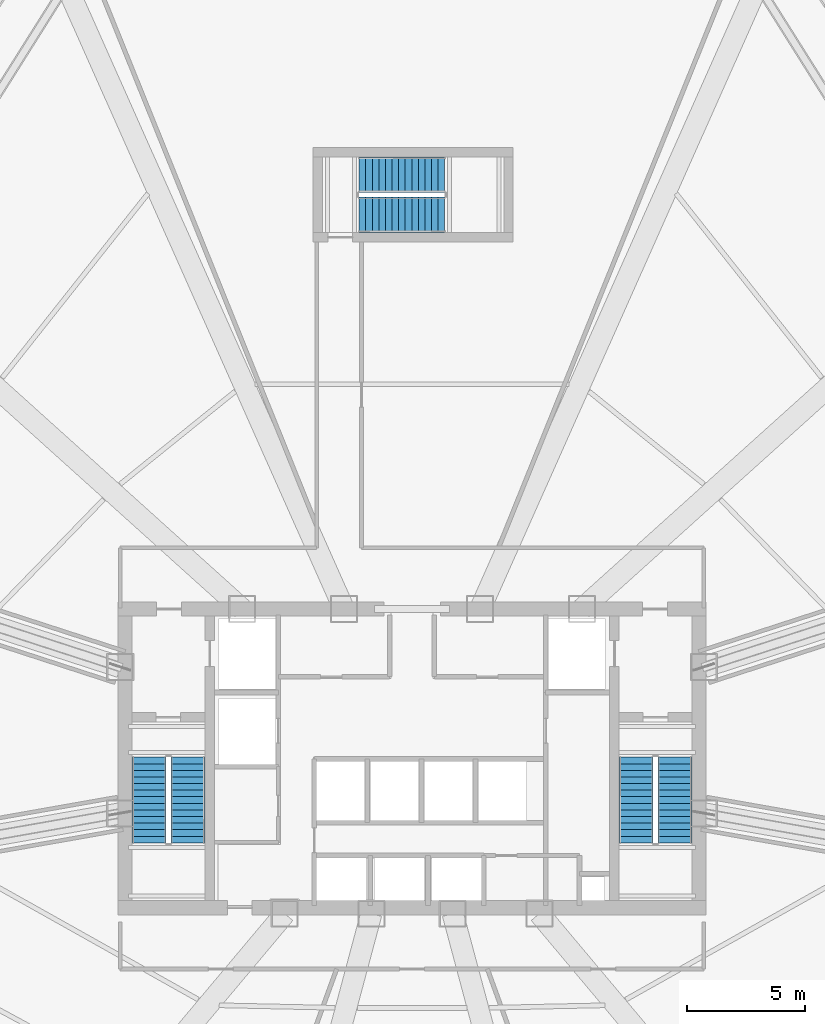
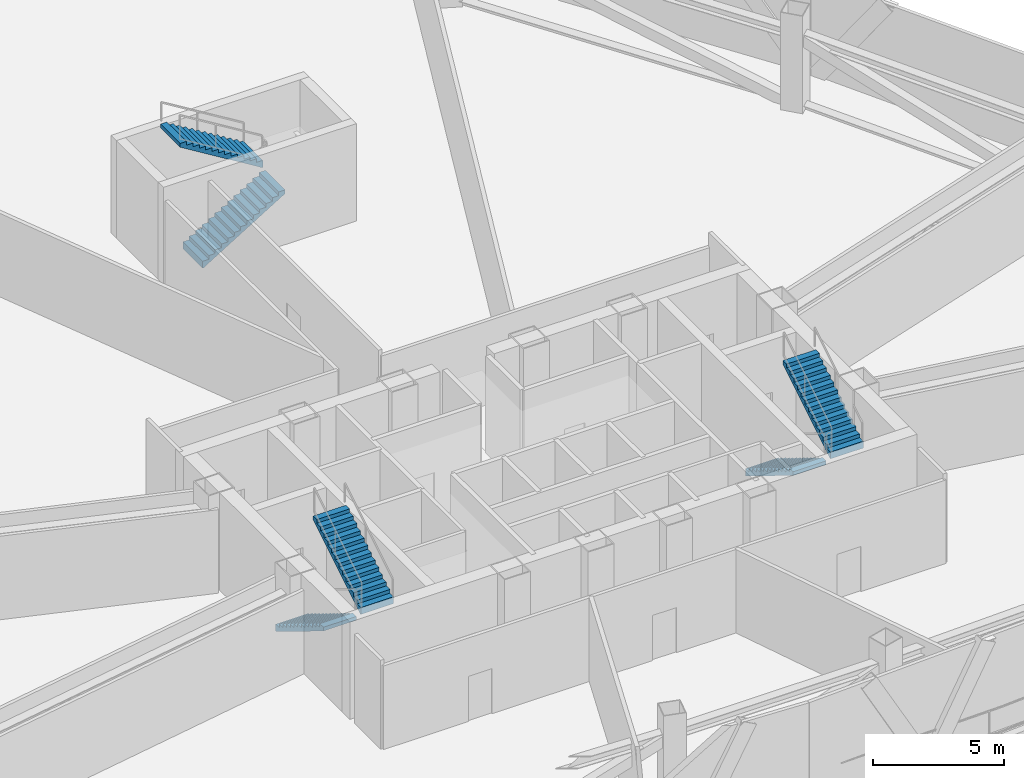
# One storey, part 11 of 17: 6 stair flights, 3 elements without a shape of their own.
"""IFC4 building model written with IfcOpenShell, lengths in metres."""

from ifc_helpers import new_model, si_unit, direction, frame, origin, place, context, subcontext, project, spatial, polyline, outline, extrude, source, transform, mapped, material, type_object, element, aggregate, save


model = new_model("IFC4")

# Units and contexts
model_context = context("Model", 3, precision=1e-05, world=origin(), true_north=direction((0.0, 1.0)))
body_context = subcontext(model_context, "Body", "Model", "MODEL_VIEW")
ifc_project = project(units=[si_unit("LENGTHUNIT", "METRE"), si_unit("AREAUNIT", "SQUARE_METRE"), si_unit("VOLUMEUNIT", "CUBIC_METRE"), si_unit("PLANEANGLEUNIT", "RADIAN"), si_unit("MASSUNIT", "GRAM", prefix="KILO"), si_unit("THERMODYNAMICTEMPERATUREUNIT", "KELVIN"), si_unit("POWERUNIT", "WATT")], contexts=[model_context])

# Site, building, storey
site_placement = place(None, origin())
site = spatial("IfcSite", under=ifc_project, at=site_placement, CompositionType="ELEMENT")
building_placement = place(site_placement, origin())
building = spatial("IfcBuilding", under=site, at=building_placement, Name="Yunzhuo Pagoda Commons", CompositionType="ELEMENT")
storey_placement = place(building_placement, frame((0.0, 0.0, 176.159912109375)))
storey = spatial("IfcBuildingStorey", under=building, at=storey_placement, Name="L44", CompositionType="ELEMENT", Elevation=176.159912109375)

# Stair, stair flights
ifc_material = material(Name="Concrete C40", Category="concrete")
stair_type_1 = type_object("IfcStairType", Name="ST-C1 Core Smokeproof Stair ST1", PredefinedType="HALF_TURN_STAIR", material=ifc_material)
stair_1_placement = place(storey_placement, origin())
stair_1 = element("IfcStair", 1, at=stair_1_placement, inside=storey, type_object=stair_type_1, Name="L44 Core smokeproof stair ST1", PredefinedType="HALF_TURN_STAIR")
stair_flight_type_1 = type_object("IfcStairFlightType", Name="STF-C1 Core Stair Flight 1450", PredefinedType="STRAIGHT", material=ifc_material)
shared_shape_1 = source(origin(), body_context, "Body", "SweptSolid", [
    extrude(outline(polyline([(0.0, -0.14990234375), (0.0, 0.0), (0.0, 0.17138671875), (0.280029296875, 0.17138671875), (0.280029296875, 0.3427734375), (0.56005859375, 0.3427734375), (0.56005859375, 0.514404296875), (0.840087890625, 0.514404296875), (0.840087890625, 0.685791015625), (1.1201171875, 0.685791015625), (1.1201171875, 0.857177734375), (1.39990234375, 0.857177734375), (1.39990234375, 1.028564453125), (1.679931640625, 1.028564453125), (1.679931640625, 1.199951171875), (1.9599609375, 1.199951171875), (1.9599609375, 1.371337890625), (2.239990234375, 1.371337890625), (2.239990234375, 1.54296875), (2.52001953125, 1.54296875), (2.52001953125, 1.71435546875), (2.800048828125, 1.71435546875), (2.800048828125, 1.8857421875), (3.080078125, 1.8857421875), (3.080078125, 2.05712890625), (3.360107421875, 2.05712890625), (3.360107421875, 2.228515625), (3.639892578125, 2.228515625), (3.639892578125, 2.39990234375), (3.639892578125, 2.052734375), (0.287109375, 0.0), (0.050048828125, -0.14990234375), (0.0, -0.14990234375)])), frame((0.0, 0.72509765625, 0.0), z_axis=(0.0, -1.0, 0.0), x_axis=(1.0, 0.0, 0.0)), (0.0, 0.0, 1.0), 1.449951171875),
])
stair_flight_1_placement = place(storey_placement, frame((36.824951171875, 33.89990234375, 0.0), z_axis=(0.0, 0.0, 1.0), x_axis=(0.0, -1.0, 0.0)))
stair_flight_1 = element("IfcStairFlight", 2, at=stair_flight_1_placement, type_object=stair_flight_type_1, Name="ST1 flight 1", NumberOfRisers=14, NumberOfTreads=13, PredefinedType="STRAIGHT", RiserHeight=0.171428571, TreadLength=0.28, context=body_context, shape_type="MappedRepresentation", body=[
    mapped(shared_shape_1, transform((0.0, 0.0, 0.0), scale=1.0)),
])
stair_flight_2_placement = place(storey_placement, frame((38.47509765625, 30.260009765625, 2.400146484375), z_axis=(0.0, 0.0, 1.0), x_axis=(0.0, 1.0, 0.0)))
stair_flight_2 = element("IfcStairFlight", 3, at=stair_flight_2_placement, type_object=stair_flight_type_1, Name="ST1 flight 2", NumberOfRisers=14, NumberOfTreads=13, PredefinedType="STRAIGHT", RiserHeight=0.171428571, TreadLength=0.28, context=body_context, shape_type="MappedRepresentation", body=[
    mapped(shared_shape_1, transform((0.0, 0.0, 0.0), scale=1.0)),
])
aggregate(stair_1, [stair_flight_1, stair_flight_2])

stair_type_2 = type_object("IfcStairType", Name="ST-C2 Core Smokeproof Stair ST2", PredefinedType="HALF_TURN_STAIR", material=ifc_material)
stair_2_placement = place(storey_placement, origin())
stair_2 = element("IfcStair", 4, at=stair_2_placement, inside=storey, type_object=stair_type_2, Name="L44 Core smokeproof stair ST2", PredefinedType="HALF_TURN_STAIR")
stair_flight_type_2 = type_object("IfcStairFlightType", Name="STF-C2 Core Stair Flight 1460", PredefinedType="STRAIGHT", material=ifc_material)
stair_flight_3_placement = place(storey_placement, frame((57.52490234375, 33.89990234375, 0.0), z_axis=(0.0, 0.0, 1.0), x_axis=(0.0, -1.0, 0.0)))
stair_flight_3 = element("IfcStairFlight", 5, at=stair_flight_3_placement, type_object=stair_flight_type_2, Name="ST2 flight 1", NumberOfRisers=14, NumberOfTreads=13, PredefinedType="STRAIGHT", RiserHeight=0.171428571, TreadLength=0.28, context=body_context, shape_type="MappedRepresentation", body=[
    mapped(shared_shape_1, transform((0.0, 0.0, 0.0), scale=1.0)),
])
stair_flight_4_placement = place(storey_placement, frame((59.175048828125, 30.260009765625, 2.400146484375), z_axis=(0.0, 0.0, 1.0), x_axis=(0.0, 1.0, 0.0)))
stair_flight_4 = element("IfcStairFlight", 6, at=stair_flight_4_placement, type_object=stair_flight_type_2, Name="ST2 flight 2", NumberOfRisers=14, NumberOfTreads=13, PredefinedType="STRAIGHT", RiserHeight=0.171428571, TreadLength=0.28, context=body_context, shape_type="MappedRepresentation", body=[
    mapped(shared_shape_1, transform((0.0, 0.0, 0.0), scale=1.0)),
])
aggregate(stair_2, [stair_flight_3, stair_flight_4])

stair_type_3 = type_object("IfcStairType", Name="ST-C3 North Tower Smokeproof Stair ST3", PredefinedType="HALF_TURN_STAIR", material=ifc_material)
stair_3_placement = place(storey_placement, origin())
stair_3 = element("IfcStair", 7, at=stair_3_placement, inside=storey, type_object=stair_type_3, Name="L44 North tower smokeproof stair ST3", PredefinedType="HALF_TURN_STAIR")
stair_flight_type_3 = type_object("IfcStairFlightType", Name="STF-C3 North Stair Flight 1500", PredefinedType="STRAIGHT", material=ifc_material)
shared_shape_2 = source(origin(), body_context, "Body", "SweptSolid", [
    extrude(outline(polyline([(0.0, -0.14990234375), (0.0, 0.0), (0.0, 0.17138671875), (0.280029296875, 0.17138671875), (0.280029296875, 0.3427734375), (0.56005859375, 0.3427734375), (0.56005859375, 0.514404296875), (0.840087890625, 0.514404296875), (0.840087890625, 0.685791015625), (1.1201171875, 0.685791015625), (1.1201171875, 0.857177734375), (1.39990234375, 0.857177734375), (1.39990234375, 1.028564453125), (1.679931640625, 1.028564453125), (1.679931640625, 1.199951171875), (1.9599609375, 1.199951171875), (1.9599609375, 1.371337890625), (2.239990234375, 1.371337890625), (2.239990234375, 1.54296875), (2.52001953125, 1.54296875), (2.52001953125, 1.71435546875), (2.800048828125, 1.71435546875), (2.800048828125, 1.8857421875), (3.080078125, 1.8857421875), (3.080078125, 2.05712890625), (3.360107421875, 2.05712890625), (3.360107421875, 2.228515625), (3.639892578125, 2.228515625), (3.639892578125, 2.39990234375), (3.639892578125, 2.052734375), (0.287109375, 0.0), (0.050048828125, -0.14990234375), (0.0, -0.14990234375)])), frame((0.0, 0.75, 0.0), z_axis=(0.0, -1.0, 0.0), x_axis=(1.0, 0.0, 0.0)), (0.0, 0.0, 1.0), 1.5),
])
stair_flight_5_placement = place(storey_placement, frame((45.75, 56.949951171875, 0.0), z_axis=(0.0, 0.0, 1.0), x_axis=(1.0, 0.0, 0.0)))
stair_flight_5 = element("IfcStairFlight", 8, at=stair_flight_5_placement, type_object=stair_flight_type_3, Name="ST3 flight 1", NumberOfRisers=14, NumberOfTreads=13, PredefinedType="STRAIGHT", RiserHeight=0.171428571, TreadLength=0.28, context=body_context, shape_type="MappedRepresentation", body=[
    mapped(shared_shape_2, transform((0.0, 0.0, 0.0), scale=1.0)),
])
stair_flight_6_placement = place(storey_placement, frame((49.389892578125, 58.64990234375, 2.400146484375), z_axis=(0.0, 0.0, 1.0), x_axis=(-1.0, 0.0, 0.0)))
stair_flight_6 = element("IfcStairFlight", 9, at=stair_flight_6_placement, type_object=stair_flight_type_3, Name="ST3 flight 2", NumberOfRisers=14, NumberOfTreads=13, PredefinedType="STRAIGHT", RiserHeight=0.171428571, TreadLength=0.28, context=body_context, shape_type="MappedRepresentation", body=[
    mapped(shared_shape_2, transform((0.0, 0.0, 0.0), scale=1.0)),
])
aggregate(stair_3, [stair_flight_5, stair_flight_6])

save(model, "model.ifc")
